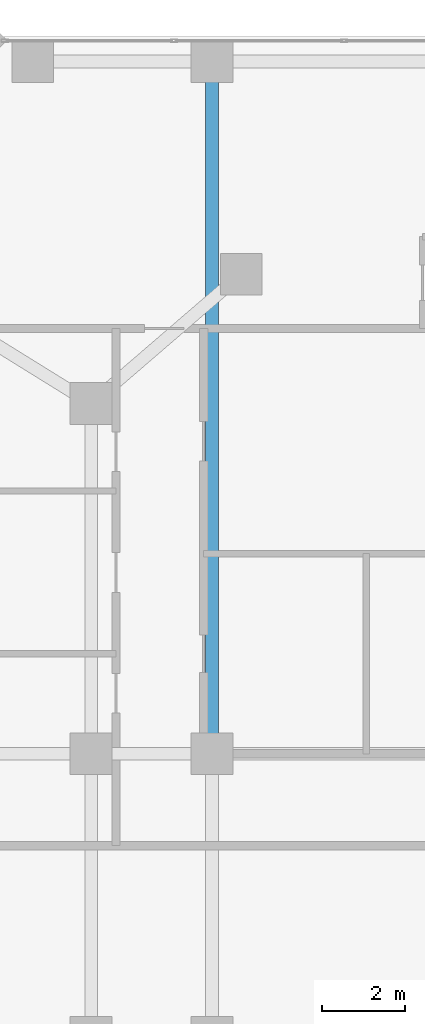
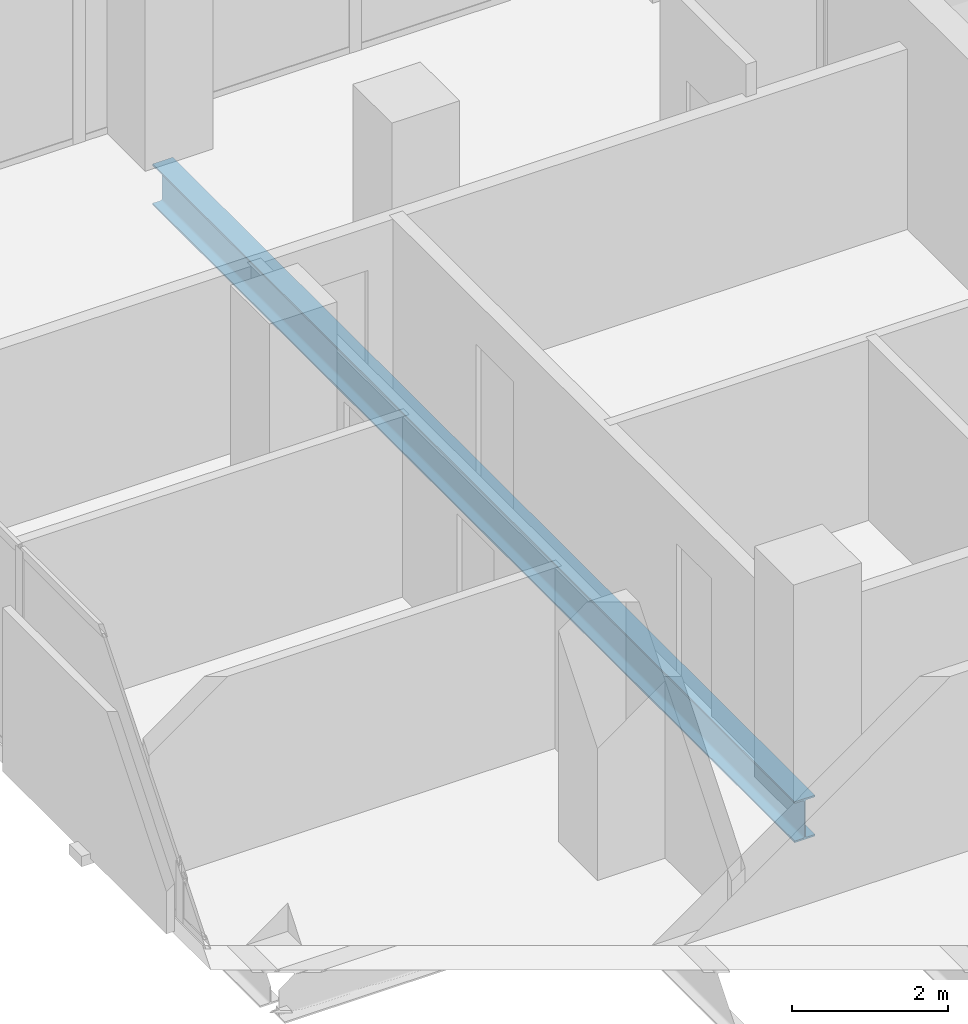
# One storey, part 17 of 31: 1 beam.
"""IFC4 building model written with IfcOpenShell, lengths in metres."""

from ifc_helpers import new_model, si_unit, direction, frame, origin, origin_2d, place, context, subcontext, project, spatial, i_section, extrude, material, material_profile, profile_set, type_object, element, save


model = new_model("IFC4")

# Units and contexts
model_context = context("Model", 3, precision=1e-05, world=origin(), true_north=direction((0.0, 1.0)))
body_context = subcontext(model_context, "Body", "Model", "MODEL_VIEW")
ifc_project = project(units=[si_unit("LENGTHUNIT", "METRE"), si_unit("AREAUNIT", "SQUARE_METRE"), si_unit("VOLUMEUNIT", "CUBIC_METRE"), si_unit("PLANEANGLEUNIT", "RADIAN"), si_unit("MASSUNIT", "GRAM", prefix="KILO")], contexts=[model_context])

# Site, building, storey
site_placement = place(None, origin())
site = spatial("IfcSite", under=ifc_project, at=site_placement, CompositionType="ELEMENT")
building_placement = place(site_placement, origin())
building = spatial("IfcBuilding", under=site, at=building_placement, Name="Catumbela Crestline Tower", CompositionType="ELEMENT")
storey_placement = place(building_placement, frame((0.0, 0.0, 36.6)))
storey = spatial("IfcBuildingStorey", under=building, at=storey_placement, Name="L08", CompositionType="ELEMENT", Elevation=36.6)

# Beam
ifc_material = material(Name="Structural steel S355J2", Category="steel")
ifc_material_profile = material_profile(ifc_material, i_section(OverallWidth=0.3, OverallDepth=0.64, WebThickness=0.0135, FlangeThickness=0.026, FilletRadius=0.027, at=origin_2d()), Name="HEA 650")
ifc_profile_set = profile_set([ifc_material_profile], Name="Structural steel S355J2")
beam_type = type_object("IfcBeamType", Name="BG-HEA650", PredefinedType="BEAM", material=ifc_profile_set)
beam_placement = place(storey_placement, frame((8.5, 30.88, -0.58), z_axis=(0.0, 1.0, 0.0), x_axis=(-1.0, 0.0, 0.0)))
element("IfcBeam", 1, at=beam_placement, inside=storey, type_object=beam_type, Name="L08 Beam BM-L08-SN30", PredefinedType="BEAM", context=body_context, shape_type="SweptSolid", body=[
    extrude(i_section(OverallWidth=0.3, OverallDepth=0.64, WebThickness=0.0135, FlangeThickness=0.026, FilletRadius=0.027, at=origin_2d()), origin(), (0.0, 0.0, 1.0), 16.44),
])

save(model, "model.ifc")
